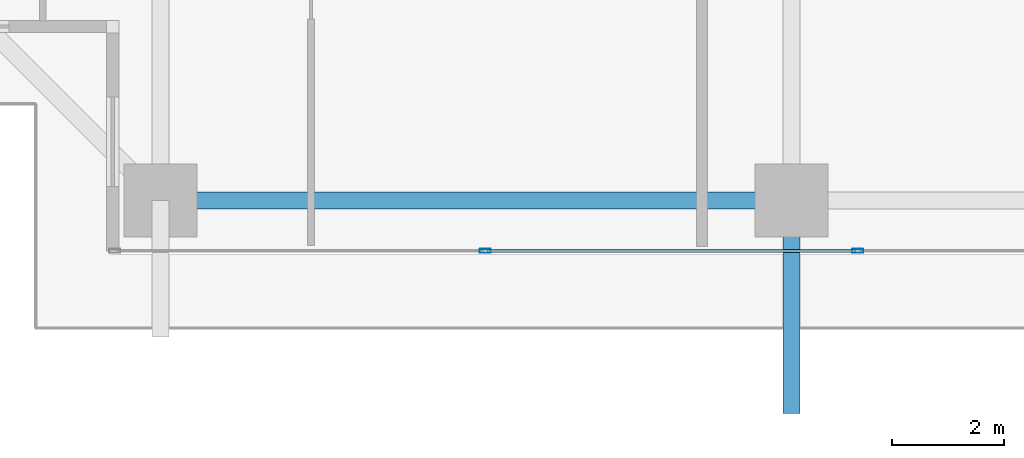
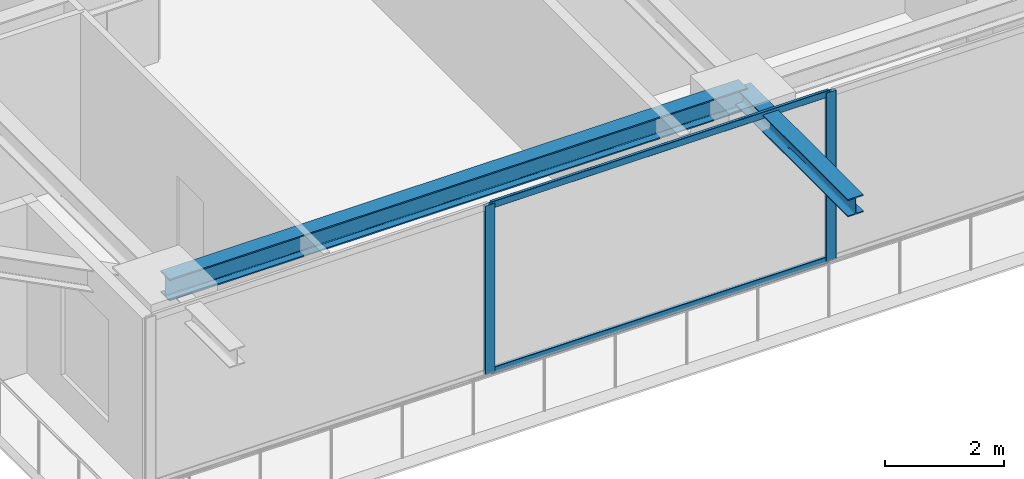
# One storey, part 5 of 38: 4 members, 2 beams, 1 element without a shape of its own.
"""IFC4 building model written with IfcOpenShell, lengths in metres."""

import ifcopenshell
import ifcopenshell.guid

model = None  # the IFC model being written
_history = None  # IfcOwnerHistory: only IFC2X3 demands one
_inside = {}  # id of a spatial element -> (the spatial element, [elements in it])
_under = {}  # id of a project, library or spatial element -> (it, [spatial elements below it])
_declared = {}  # id of a project -> (the project, [libraries it declares])
_typed = {}  # id of a type object -> (the type object, [elements of that type])
_made_of = {}  # id of a material, layer set ... -> (it, [elements and type objects made of it])


def new_model(schema):
    """Start an empty IFC model of exactly this schema.

    Asked for "IFC4X3", IfcOpenShell would pick the latest addendum, in which some entities
    have other attributes; the version numbers below select the first issue.
    IFC2X3 requires an IfcOwnerHistory on every rooted entity: one is made here for all.
    """
    global model, _history
    if schema == "IFC4X3":
        model = ifcopenshell.file(schema_version=(4, 3, 0, 0))
    else:
        model = ifcopenshell.file(schema=schema)
    _inside.clear()
    _under.clear()
    _declared.clear()
    _typed.clear()
    _made_of.clear()
    _history = None
    if model.schema == "IFC2X3":
        org = make("IfcOrganization", Name="unknown")
        user = make(
            "IfcPersonAndOrganization",
            ThePerson=make("IfcPerson", FamilyName="unknown"),
            TheOrganization=org,
        )
        app = make(
            "IfcApplication",
            ApplicationDeveloper=org,
            Version="unknown",
            ApplicationFullName="unknown",
            ApplicationIdentifier="unknown",
        )
        _history = make(
            "IfcOwnerHistory",
            OwningUser=user,
            OwningApplication=app,
            ChangeAction="ADDED",
            CreationDate=0,
        )
    return model


def make(cls, **values):
    """One entity of the class cls with the attributes given. An attribute that is None is left unset."""
    return model.create_entity(
        cls, **{name: value for name, value in values.items() if value is not None}
    )


def rooted(cls, **values):
    """An entity with a GlobalId (a new one), such as an element, a storey or a relation."""
    return make(cls, GlobalId=ifcopenshell.guid.new(), OwnerHistory=_history, **values)


def si_unit(unit_type, name, prefix=None):
    """IfcSIUnit, for example si_unit("LENGTHUNIT", "METRE", prefix="MILLI")."""
    return make("IfcSIUnit", UnitType=unit_type, Prefix=prefix, Name=name)


def assignment(units):
    """IfcUnitAssignment: the units of a project."""
    return None if units is None else make("IfcUnitAssignment", Units=units)


def point(xyz):
    """IfcCartesianPoint."""
    return None if xyz is None else make("IfcCartesianPoint", Coordinates=xyz)


def direction(xyz):
    """IfcDirection."""
    return None if xyz is None else make("IfcDirection", DirectionRatios=xyz)


def frame(location, z_axis=None, x_axis=None):
    """IfcAxis2Placement3D, a coordinate frame: its origin and axes. An axis left out is left unset."""
    return make(
        "IfcAxis2Placement3D",
        Location=point(location),
        Axis=direction(z_axis),
        RefDirection=direction(x_axis),
    )


def frame_2d(location, x_axis=None):
    """IfcAxis2Placement2D, a coordinate frame in the plane: its origin and x axis."""
    return make(
        "IfcAxis2Placement2D", Location=point(location), RefDirection=direction(x_axis)
    )


def origin():
    """The frame at (0, 0, 0) with its axes left unset."""
    return frame((0.0, 0.0, 0.0))


def origin_2d():
    """The frame at (0, 0) in the plane with its x axis left unset."""
    return frame_2d((0.0, 0.0))


def place(relative_to, where):
    """IfcLocalPlacement: puts the frame where relative to a parent placement (None: the world)."""
    return make(
        "IfcLocalPlacement", PlacementRelTo=relative_to, RelativePlacement=where
    )


def context(
    kind, dimensions, precision=None, world=None, true_north=None, identifier=None
):
    """IfcGeometricRepresentationContext, for example the 3D "Model" context."""
    return make(
        "IfcGeometricRepresentationContext",
        ContextIdentifier=identifier,
        ContextType=kind,
        CoordinateSpaceDimension=dimensions,
        Precision=precision,
        WorldCoordinateSystem=world,
        TrueNorth=true_north,
    )


def subcontext(parent, identifier, kind, view, scale=None):
    """IfcGeometricRepresentationSubContext, for example "Body" below "Model"."""
    return make(
        "IfcGeometricRepresentationSubContext",
        ContextIdentifier=identifier,
        ContextType=kind,
        ParentContext=parent,
        TargetScale=scale,
        TargetView=view,
    )


def project(units=None, contexts=None):
    """IfcProject with its units and contexts."""
    return rooted(
        "IfcProject",
        Name="project",
        RepresentationContexts=contexts,
        UnitsInContext=assignment(units),
    )


def spatial(cls, under=None, at=None, **own):
    """A site, building, storey or space (cls), placed at a placement, below another one or the project."""
    s = rooted(cls, ObjectPlacement=at, **own)
    if under is not None:
        _under.setdefault(under.id(), (under, []))[1].append(s)
    return s


def profile(cls, at=None, kind="AREA", **sizes):
    """A parametric profile (cls). Its sizes go by their IFC names, for example OverallWidth=200.0."""
    return make(cls, ProfileType=kind, Position=at, **sizes)


def hollow_rectangle(**sizes):
    """IfcRectangleHollowProfileDef."""
    return profile("IfcRectangleHollowProfileDef", **sizes)


def i_section(**sizes):
    """IfcIShapeProfileDef."""
    return profile("IfcIShapeProfileDef", **sizes)


def extrude(swept, where, along, depth):
    """IfcExtrudedAreaSolid: the profile swept, set in the frame where, extruded along a direction by depth."""
    return make(
        "IfcExtrudedAreaSolid",
        SweptArea=swept,
        Position=where,
        ExtrudedDirection=direction(along),
        Depth=depth,
    )


def shape(context_of_items, identifier, shape_type, items):
    """IfcShapeRepresentation: the items that make up one representation, for example the "Body"."""
    return make(
        "IfcShapeRepresentation",
        ContextOfItems=context_of_items,
        RepresentationIdentifier=identifier,
        RepresentationType=shape_type,
        Items=items,
    )


def source(mapping_origin, context_of_items, identifier, shape_type, items):
    """IfcRepresentationMap: a shape defined once, which mapped items show again and again."""
    return make(
        "IfcRepresentationMap",
        MappingOrigin=mapping_origin,
        MappedRepresentation=shape(context_of_items, identifier, shape_type, items),
    )


def transform(
    local_origin,
    x_axis=None,
    y_axis=None,
    z_axis=None,
    scale=None,
    scale2=None,
    scale3=None,
    uniform=True,
):
    """IfcCartesianTransformationOperator3D, or its non-uniform kind. x_axis, y_axis, z_axis: its Axis1, 2, 3."""
    if uniform:
        return make(
            "IfcCartesianTransformationOperator3D",
            Axis1=direction(x_axis),
            Axis2=direction(y_axis),
            LocalOrigin=point(local_origin),
            Scale=scale,
            Axis3=direction(z_axis),
        )
    return make(
        "IfcCartesianTransformationOperator3DnonUniform",
        Axis1=direction(x_axis),
        Axis2=direction(y_axis),
        LocalOrigin=point(local_origin),
        Scale=scale,
        Axis3=direction(z_axis),
        Scale2=scale2,
        Scale3=scale3,
    )


def mapped(mapping_source, mapping_target):
    """IfcMappedItem: shows the shape of a source again, moved by a transform."""
    return make(
        "IfcMappedItem", MappingSource=mapping_source, MappingTarget=mapping_target
    )


def material(Name=None, Category=None):
    """IfcMaterial."""
    return make("IfcMaterial", Name=Name, Category=Category)


def layer(
    of_material, thickness, ventilated=None, Name=None, Category=None, Priority=None
):
    """IfcMaterialLayer: one layer of a wall or slab, of a material (None: an air gap)."""
    return make(
        "IfcMaterialLayer",
        Material=of_material,
        LayerThickness=thickness,
        IsVentilated=ventilated,
        Name=Name,
        Category=Category,
        Priority=Priority,
    )


def layer_set(layers, Name=None):
    """IfcMaterialLayerSet."""
    return make("IfcMaterialLayerSet", MaterialLayers=layers, LayerSetName=Name)


def material_profile(
    of_material, cross_section, Name=None, Category=None, Priority=None
):
    """IfcMaterialProfile: a cross section and its material."""
    return make(
        "IfcMaterialProfile",
        Name=Name,
        Material=of_material,
        Profile=cross_section,
        Priority=Priority,
        Category=Category,
    )


def profile_set(profiles, Name=None, composite=None):
    """IfcMaterialProfileSet."""
    return make(
        "IfcMaterialProfileSet",
        Name=Name,
        MaterialProfiles=profiles,
        CompositeProfile=composite,
    )


def made_of(thing, what):
    """Note that an element or type object is made of a material, layer set ...; save() writes the relation."""
    if what is not None:
        _made_of.setdefault(what.id(), (what, []))[1].append(thing)
    return thing


def type_object(cls, material=None, **own):
    """A type object (cls), such as IfcWallType, which elements share."""
    return made_of(rooted(cls, **own), material)


def element(
    cls,
    number,
    at=None,
    inside=None,
    cuts=None,
    type_object=None,
    material=None,
    context=None,
    identifier="Body",
    shape_type=None,
    held_by="IfcProductDefinitionShape",
    body=None,
    shapes=None,
    **own,
):
    """One element of the class cls, such as IfcWall. Its Tag is "e" and its number.

    at: its placement. inside: the storey or other place that contains it. cuts: it is an
    opening in that element (IfcRelVoidsElement). A single representation is given by context,
    identifier, shape_type and body (its items); several are given by shapes. held_by: the class
    of the entity that holds the representations. save() writes the other relations.
    """
    e = rooted(cls, Tag="e%d" % number, ObjectPlacement=at, **own)
    if body is not None:
        shapes = [shape(context, identifier, shape_type, body)]
    if shapes is not None:
        e.Representation = make(held_by, Representations=shapes)
    if inside is not None:
        _inside.setdefault(inside.id(), (inside, []))[1].append(e)
    if cuts is not None:
        rooted(
            "IfcRelVoidsElement", RelatingBuildingElement=cuts, RelatedOpeningElement=e
        )
    if type_object is not None:
        _typed.setdefault(type_object.id(), (type_object, []))[1].append(e)
    return made_of(e, material)


def aggregate(whole, parts):
    """IfcRelAggregates: a whole, such as a stair, and the parts it consists of."""
    return rooted("IfcRelAggregates", RelatingObject=whole, RelatedObjects=parts)


def save(model, path):
    """Write the relations noted so far, then the file.

    IfcRelAggregates (storeys below a building ...), IfcRelContainedInSpatialStructure (elements
    in a storey), IfcRelDefinesByType, IfcRelAssociatesMaterial and IfcRelDeclares: one each for
    every whole, place, type object, material and project.
    """
    for whole, parts in _under.values():
        aggregate(whole, parts)
    for where, things in _inside.values():
        rooted(
            "IfcRelContainedInSpatialStructure",
            RelatedElements=things,
            RelatingStructure=where,
        )
    for kind, things in _typed.values():
        rooted("IfcRelDefinesByType", RelatedObjects=things, RelatingType=kind)
    for what, things in _made_of.values():
        rooted("IfcRelAssociatesMaterial", RelatedObjects=things, RelatingMaterial=what)
    for by, libraries in _declared.values():
        rooted("IfcRelDeclares", RelatingContext=by, RelatedDefinitions=libraries)
    model.write(path)


model = new_model("IFC4")

# Units and contexts
model_context = context("Model", 3, precision=1e-05, world=origin(), true_north=direction((0.0, 1.0)))
body_context = subcontext(model_context, "Body", "Model", "MODEL_VIEW")
ifc_project = project(units=[si_unit("LENGTHUNIT", "METRE"), si_unit("AREAUNIT", "SQUARE_METRE"), si_unit("VOLUMEUNIT", "CUBIC_METRE"), si_unit("PLANEANGLEUNIT", "RADIAN"), si_unit("MASSUNIT", "GRAM", prefix="KILO")], contexts=[model_context])

# Site, building, storey
site_placement = place(None, origin())
site = spatial("IfcSite", under=ifc_project, at=site_placement, CompositionType="ELEMENT")
building_placement = place(site_placement, origin())
building = spatial("IfcBuilding", under=site, at=building_placement, Name="Serunith Strait Residences", CompositionType="ELEMENT")
storey_placement = place(building_placement, frame((0.0, 0.0, 183.89990234375)))
storey = spatial("IfcBuildingStorey", under=building, at=storey_placement, Name="L46", CompositionType="ELEMENT", Elevation=183.89990234375)

# Beams
ifc_material_1 = material(Name="Steel S355J2", Category="steel")
ifc_material_profile_1 = material_profile(ifc_material_1, i_section(OverallWidth=0.300048828125, OverallDepth=0.449951171875, WebThickness=0.013916015625, FlangeThickness=0.02587890625, FilletRadius=0.027099609375, at=origin_2d()), Name="HEB 450")
ifc_profile_set_1 = profile_set([ifc_material_profile_1], Name="Steel S355J2")
beam_type_1 = type_object("IfcBeamType", Name="BM-HEB450", PredefinedType="BEAM", material=ifc_profile_set_1)
shared_shape_1 = source(origin(), body_context, "Body", "SweptSolid", [
    extrude(i_section(OverallWidth=0.300048828125, OverallDepth=0.449951171875, WebThickness=0.013916015625, FlangeThickness=0.02587890625, FilletRadius=0.027099609375, at=origin_2d()), origin(), (0.0, 0.0, 1.0), 11.25),
])
beam_1_placement = place(storey_placement, frame((16.64990234375, 2.300048828125, 3.26220703125), z_axis=(1.0, 0.0, 0.0), x_axis=(0.0, 1.0, 0.0)))
element("IfcBeam", 1, at=beam_1_placement, inside=storey, type_object=beam_type_1, Name="L46 Perimeter Ring Beam 01", PredefinedType="BEAM", context=body_context, shape_type="MappedRepresentation", body=[
    mapped(shared_shape_1, transform((0.0, 0.0, 0.0), scale=1.0)),
])
ifc_material_profile_2 = material_profile(ifc_material_1, i_section(OverallWidth=0.300048828125, OverallDepth=0.360107421875, WebThickness=0.012451171875, FlangeThickness=0.0224609375, FilletRadius=0.027099609375, at=origin_2d()), Name="HEB 360")
ifc_profile_set_2 = profile_set([ifc_material_profile_2], Name="Steel S355J2")
beam_type_2 = type_object("IfcBeamType", Name="BM-HEB360", PredefinedType="BEAM", material=ifc_profile_set_2)
shared_shape_2 = source(origin(), body_context, "Body", "SweptSolid", [
    extrude(i_section(OverallWidth=0.300048828125, OverallDepth=0.360107421875, WebThickness=0.012451171875, FlangeThickness=0.0224609375, FilletRadius=0.027099609375, at=origin_2d()), origin(), (0.0, 0.0, 1.0), 3.800048828125),
])
beam_2_placement = place(storey_placement, frame((27.89990234375, 2.300048828125, 3.277099609375), z_axis=(0.0, -1.0, 0.0), x_axis=(1.0, 0.0, 0.0)))
element("IfcBeam", 2, at=beam_2_placement, inside=storey, type_object=beam_type_2, Name="L47 Cantilevered Balcony Rib TC-S2", PredefinedType="BEAM", context=body_context, shape_type="MappedRepresentation", body=[
    mapped(shared_shape_2, transform((0.0, 0.0, 0.0), scale=1.0)),
])

# Curtain wall, members
ifc_material_2 = material(Name="Pale-Champagne Anodised Aluminium", Category="aluminium")
ifc_layer = layer(ifc_material_2, 0.199951171875, Name="Pale-Champagne Anodised Aluminium")
ifc_layer_set = layer_set([ifc_layer], Name="Pale-Champagne Anodised Aluminium")
curtain_wall_type = type_object("IfcCurtainWallType", Name="CW-SYS2", PredefinedType="NOTDEFINED", material=ifc_layer_set)
curtain_wall_placement = place(storey_placement, origin())
curtain_wall = element("IfcCurtainWall", 3, at=curtain_wall_placement, inside=storey, type_object=curtain_wall_type, Name="L46 S Unitised Fritted Curtain Wall", PredefinedType="NOTDEFINED")
ifc_material_profile_3 = material_profile(ifc_material_2, hollow_rectangle(XDim=0.070068359375, YDim=0.199951171875, WallThickness=0.00390625, InnerFilletRadius=0.006103515625, OuterFilletRadius=0.010009765625, at=origin_2d()), Name="ALU 200x70x4")
ifc_profile_set_3 = profile_set([ifc_material_profile_3], Name="Pale-Champagne Anodised Aluminium")
member_type_1 = type_object("IfcMemberType", Name="CW-SYS2-MULL", PredefinedType="MULLION", material=ifc_profile_set_3)
shared_shape_3 = source(origin(), body_context, "Body", "SweptSolid", [
    extrude(hollow_rectangle(XDim=0.070068359375, YDim=0.199951171875, WallThickness=0.00390625, InnerFilletRadius=0.006103515625, OuterFilletRadius=0.010009765625, at=origin_2d()), origin(), (0.0, 0.0, 1.0), 3.47509765625),
])
member_1_placement = place(storey_placement, frame((22.43994140625, 1.39990234375, 0.0), z_axis=(0.0, 0.0, 1.0), x_axis=(0.0, 1.0, 0.0)))
member_1 = element("IfcMember", 4, at=member_1_placement, type_object=member_type_1, Name="CW-2 mullion 2", PredefinedType="MULLION", context=body_context, shape_type="MappedRepresentation", body=[
    mapped(shared_shape_3, transform((0.0, 0.0, 0.0), scale=1.0)),
])
member_2_placement = place(storey_placement, frame((29.080078125, 1.39990234375, 0.0), z_axis=(0.0, 0.0, 1.0), x_axis=(0.0, 1.0, 0.0)))
member_2 = element("IfcMember", 5, at=member_2_placement, type_object=member_type_1, Name="CW-2 mullion 3", PredefinedType="MULLION", context=body_context, shape_type="MappedRepresentation", body=[
    mapped(shared_shape_3, transform((0.0, 0.0, 0.0), scale=1.0)),
])
ifc_material_profile_4 = material_profile(ifc_material_2, hollow_rectangle(XDim=0.06005859375, YDim=0.139892578125, WallThickness=0.00341796875, InnerFilletRadius=0.00537109375, OuterFilletRadius=0.0087890625, at=origin_2d()), Name="ALU 140x60x3.5")
ifc_profile_set_4 = profile_set([ifc_material_profile_4], Name="Pale-Champagne Anodised Aluminium")
member_type_2 = type_object("IfcMemberType", Name="CW-SYS2-TRAN", PredefinedType="USERDEFINED", material=ifc_profile_set_4)
shared_shape_4 = source(origin(), body_context, "Body", "SweptSolid", [
    extrude(hollow_rectangle(XDim=0.06005859375, YDim=0.139892578125, WallThickness=0.00341796875, InnerFilletRadius=0.00537109375, OuterFilletRadius=0.0087890625, at=origin_2d()), origin(), (0.0, 0.0, 1.0), 6.56982421875),
])
member_3_placement = place(storey_placement, frame((22.47509765625, 1.39990234375, 0.030029296875), z_axis=(1.0, 0.0, 0.0), x_axis=(0.0, 1.0, 0.0)))
member_3 = element("IfcMember", 6, at=member_3_placement, type_object=member_type_2, Name="CW-2 transom 2.1", ObjectType="TRANSOM", PredefinedType="USERDEFINED", context=body_context, shape_type="MappedRepresentation", body=[
    mapped(shared_shape_4, transform((0.0, 0.0, 0.0), scale=1.0)),
])
member_4_placement = place(storey_placement, frame((22.47509765625, 1.39990234375, 3.445068359375), z_axis=(1.0, 0.0, 0.0), x_axis=(0.0, 1.0, 0.0)))
member_4 = element("IfcMember", 7, at=member_4_placement, type_object=member_type_2, Name="CW-2 transom 2.2", ObjectType="TRANSOM", PredefinedType="USERDEFINED", context=body_context, shape_type="MappedRepresentation", body=[
    mapped(shared_shape_4, transform((0.0, 0.0, 0.0), scale=1.0)),
])
aggregate(curtain_wall, [member_1, member_2, member_3, member_4])

save(model, "model.ifc")
